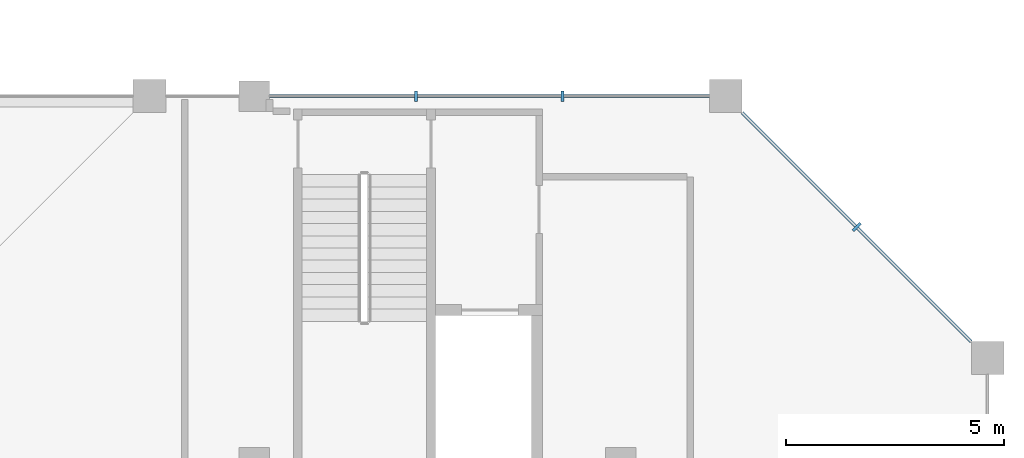
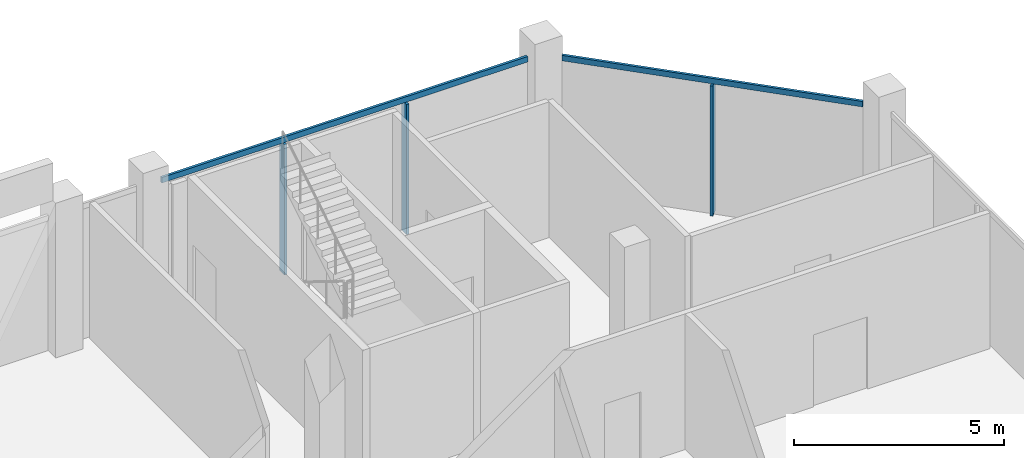
# One storey, part 5 of 15: 5 members, 2 elements without a shape of their own.
"""IFC4 building model written with IfcOpenShell, lengths in metres."""

from ifc_helpers import new_model, si_unit, direction, frame, origin, origin_2d, place, context, subcontext, project, spatial, rectangle, extrude, material, layer, layer_set, material_profile, profile_set, type_object, element, aggregate, save


model = new_model("IFC4")

# Units and contexts
model_context = context("Model", 3, precision=1e-05, world=origin(), true_north=direction((0.0, 1.0)))
body_context = subcontext(model_context, "Body", "Model", "MODEL_VIEW")
ifc_project = project(units=[si_unit("LENGTHUNIT", "METRE"), si_unit("AREAUNIT", "SQUARE_METRE"), si_unit("VOLUMEUNIT", "CUBIC_METRE"), si_unit("PLANEANGLEUNIT", "RADIAN"), si_unit("MASSUNIT", "GRAM", prefix="KILO")], contexts=[model_context])

# Site, building, storey
site_placement = place(None, origin())
site = spatial("IfcSite", under=ifc_project, at=site_placement, CompositionType="ELEMENT")
building_placement = place(site_placement, origin())
building = spatial("IfcBuilding", under=site, at=building_placement, Name="Kawkab Arch Medical Tower", CompositionType="ELEMENT")
storey_placement = place(building_placement, frame((0.0, 0.0, 332.199951171875)))
storey = spatial("IfcBuildingStorey", under=building, at=storey_placement, Name="L77", CompositionType="ELEMENT", Elevation=332.199951171875)

# Curtain wall, member
ifc_material_1 = material(Name="Bronze anodised aluminium curtain wall frame", Category="aluminium")
ifc_layer = layer(ifc_material_1, 0.159912109375)
ifc_layer_set = layer_set([ifc_layer], Name="Bronze anodised aluminium curtain wall frame")
curtain_wall_type = type_object("IfcCurtainWallType", Name="CW6 helipad lobby and crown glazing", PredefinedType="NOTDEFINED", material=ifc_layer_set)
placement = place(storey_placement, origin())
curtain_wall_1 = element("IfcCurtainWall", 1, at=placement, inside=storey, type_object=curtain_wall_type, Name="CW6 Helipad lobby and crown glazing R14", PredefinedType="NOTDEFINED")
ifc_material_2 = material(Name="Bronze anodised aluminium curtain wall frame", Category="aluminium")
ifc_material_profile_1 = material_profile(ifc_material_2, rectangle(XDim=0.239990234375, YDim=0.070068359375, at=origin_2d()), Name="AL 70x240")
ifc_profile_set_1 = profile_set([ifc_material_profile_1], Name="Bronze anodised aluminium curtain wall frame")
member_type_1 = type_object("IfcMemberType", Name="CW6 mullion 70 x 240", PredefinedType="MULLION", material=ifc_profile_set_1)
member_1_placement = place(storey_placement, frame((55.800048828125, -3.0, 0.0), z_axis=(0.0, 0.0, 1.0), x_axis=(-0.707106781187, -0.707106781187, 0.0)))
member_1 = element("IfcMember", 2, at=member_1_placement, type_object=member_type_1, Name="CW6 mullion 1.1", PredefinedType="MULLION", context=body_context, shape_type="SweptSolid", body=[
    extrude(rectangle(XDim=0.239990234375, YDim=0.070068359375, at=origin_2d()), origin(), (0.0, 0.0, 1.0), 3.7900390625),
])

# Curtain wall, members
curtain_wall_2 = element("IfcCurtainWall", 3, at=placement, inside=storey, type_object=curtain_wall_type, Name="CW6 Helipad lobby and crown glazing R15", PredefinedType="NOTDEFINED")
member_2_placement = place(storey_placement, frame((49.066650390625, 0.0, 0.0), z_axis=(0.0, 0.0, 1.0), x_axis=(0.0, -1.0, 0.0)))
member_2 = element("IfcMember", 4, at=member_2_placement, type_object=member_type_1, Name="CW6 mullion 1.1", PredefinedType="MULLION", context=body_context, shape_type="SweptSolid", body=[
    extrude(rectangle(XDim=0.239990234375, YDim=0.070068359375, at=origin_2d()), origin(), (0.0, 0.0, 1.0), 3.7900390625),
])
member_3_placement = place(storey_placement, frame((45.708251953125, 0.0, 0.0), z_axis=(0.0, 0.0, 1.0), x_axis=(0.0, -1.0, 0.0)))
member_3 = element("IfcMember", 5, at=member_3_placement, type_object=member_type_1, Name="CW6 mullion 1.2", PredefinedType="MULLION", context=body_context, shape_type="SweptSolid", body=[
    extrude(rectangle(XDim=0.239990234375, YDim=0.070068359375, at=origin_2d()), origin(), (0.0, 0.0, 1.0), 3.7900390625),
])

# Member
ifc_material_3 = material(Name="Bronze anodised aluminium curtain wall frame", Category="aluminium")
ifc_material_profile_2 = material_profile(ifc_material_3, rectangle(XDim=0.070068359375, YDim=0.159912109375, at=origin_2d()), Name="AL 70x160")
ifc_profile_set_2 = profile_set([ifc_material_profile_2], Name="Bronze anodised aluminium curtain wall frame")
member_type_2 = type_object("IfcMemberType", Name="CW6 transom 160 x 70", PredefinedType="USERDEFINED", material=ifc_profile_set_2)
member_4_placement = place(storey_placement, frame((58.425048828125, -5.625, 3.8701171875), z_axis=(-0.707106781187, 0.707106781187, 0.0), x_axis=(-0.707106781187, -0.707106781187, 0.0)))
member_4 = element("IfcMember", 6, at=member_4_placement, type_object=member_type_2, Name="CW6 transom 1", ObjectType="TRANSOM", PredefinedType="USERDEFINED", context=body_context, shape_type="SweptSolid", body=[
    extrude(rectangle(XDim=0.070068359375, YDim=0.159912109375, at=origin_2d()), origin(), (0.0, 0.0, 1.0), 7.424560546875),
])

aggregate(curtain_wall_1, [member_4, member_1])

member_5_placement = place(storey_placement, frame((52.425048828125, 0.0, 3.8701171875), z_axis=(-1.0, 0.0, 0.0), x_axis=(0.0, -1.0, 0.0)))
member_5 = element("IfcMember", 7, at=member_5_placement, type_object=member_type_2, Name="CW6 transom 1", ObjectType="TRANSOM", PredefinedType="USERDEFINED", context=body_context, shape_type="SweptSolid", body=[
    extrude(rectangle(XDim=0.070068359375, YDim=0.159912109375, at=origin_2d()), origin(), (0.0, 0.0, 1.0), 10.074951171875),
])

aggregate(curtain_wall_2, [member_5, member_2, member_3])

save(model, "model.ifc")
